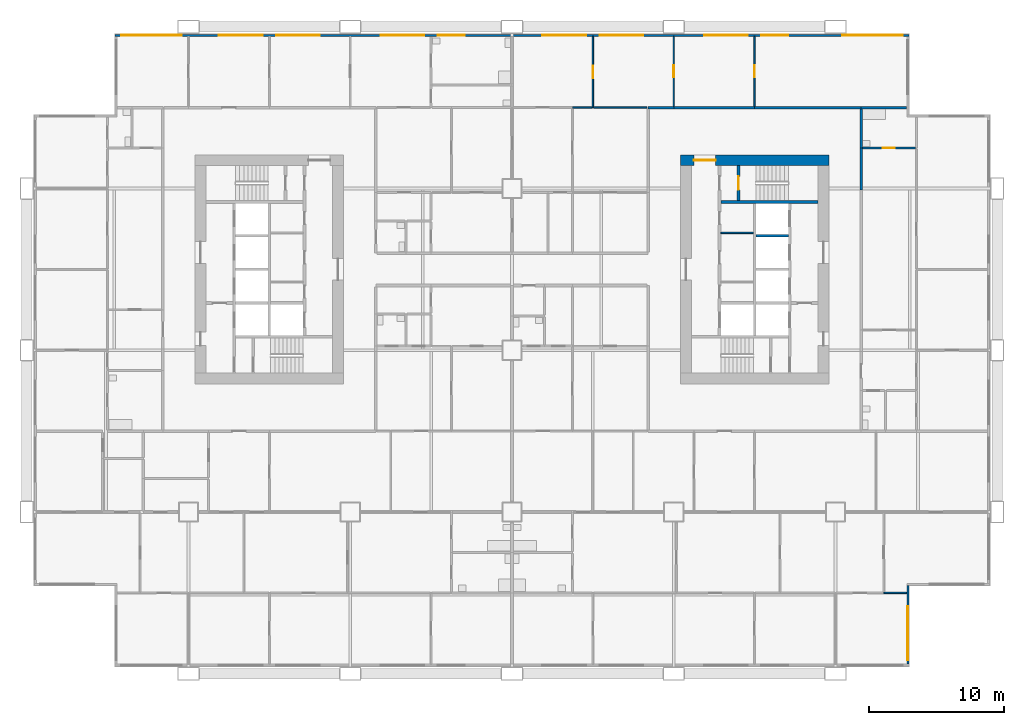
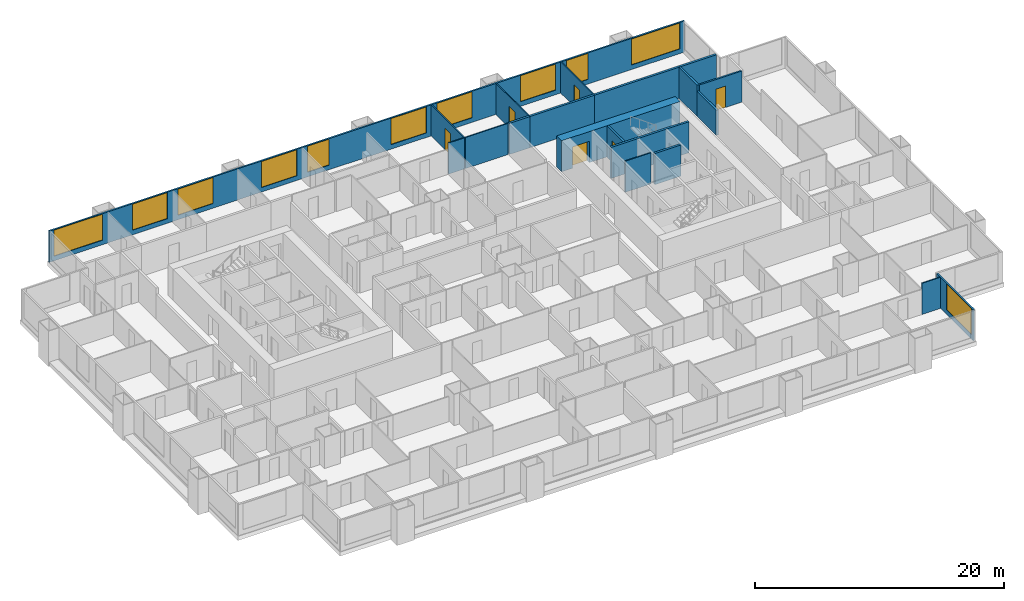
# One storey, part 10 of 14: 20 walls, 11 windows, 6 doors, 17 openings.
"""IFC4 building model written with IfcOpenShell, lengths in metres."""

from ifc_helpers import new_model, si_unit, direction, frame, frame_2d, origin, place, context, subcontext, project, spatial, rectangle, extrude, material, layer, layer_set, type_object, element, fill, save


model = new_model("IFC4")

# Units and contexts
model_context = context("Model", 3, precision=1e-05, world=origin(), true_north=direction((0.0, 1.0)))
body_context = subcontext(model_context, "Body", "Model", "MODEL_VIEW")
ifc_project = project(units=[si_unit("LENGTHUNIT", "METRE"), si_unit("AREAUNIT", "SQUARE_METRE"), si_unit("VOLUMEUNIT", "CUBIC_METRE"), si_unit("PLANEANGLEUNIT", "RADIAN"), si_unit("MASSUNIT", "GRAM", prefix="KILO")], contexts=[model_context])

# Site, building, storey
site_placement = place(None, origin())
site = spatial("IfcSite", under=ifc_project, at=site_placement, CompositionType="ELEMENT")
building_placement = place(site_placement, origin())
building = spatial("IfcBuilding", under=site, at=building_placement, Name="Kitamizu Gate Tower and Museum", CompositionType="ELEMENT")
storey_placement = place(building_placement, frame((0.0, 0.0, 67.949951171875)))
storey = spatial("IfcBuildingStorey", under=building, at=storey_placement, Name="L16", CompositionType="ELEMENT", Elevation=67.949951171875)

# Wall, opening, door
ifc_material_1 = material(Name="Concrete Fc60", Category="concrete")
ifc_layer_1 = layer(ifc_material_1, 0.800048828125)
ifc_layer_set_1 = layer_set([ifc_layer_1], Name="Concrete Fc60")
wall_type_1 = type_object("IfcWallType", Name="Core wall 800", PredefinedType="SHEAR", material=ifc_layer_set_1)
wall_1_placement = place(storey_placement, frame((59.5, 38.10009765625, 0.0), z_axis=(0.0, 0.0, 1.0), x_axis=(-1.0, 0.0, 0.0)))
wall_1 = element("IfcWall", 1, at=wall_1_placement, inside=storey, type_object=wall_type_1, Name="Core wall EN", PredefinedType="SHEAR", context=body_context, shape_type="SweptSolid", body=[
    extrude(rectangle(XDim=11.0, YDim=0.800048828125, at=frame_2d((5.5, 0.0))), origin(), (0.0, 0.0, 1.0), 3.050048828125),
])
opening_1_placement = place(wall_1_placement, frame((8.39990234375, 0.0, 0.0)))
opening_1 = element("IfcOpeningElement", 2, at=opening_1_placement, cuts=wall_1, Name="Opening L16-104", PredefinedType="OPENING", context=body_context, shape_type="SweptSolid", body=[
    extrude(rectangle(XDim=1.60009765625, YDim=2.10009765625, at=frame_2d((0.800048828125, 1.050048828125))), frame((0.0, 0.41015625, 0.0), z_axis=(0.0, -1.0, 0.0), x_axis=(1.0, 0.0, 0.0)), (0.0, 0.0, 1.0), 0.820068359375),
])
ifc_material_2 = material(Name="Timber door set", Category="wood")
door_type_1 = type_object("IfcDoorType", Name="Entrance door 1600", OperationType="DOUBLE_DOOR_SINGLE_SWING", PredefinedType="DOOR", material=ifc_material_2)
door_1_placement = place(opening_1_placement, origin())
door_1 = element("IfcDoor", 3, at=door_1_placement, inside=storey, type_object=door_type_1, Name="Lobby door L16-104", OperationType="DOUBLE_DOOR_SINGLE_SWING", OverallHeight=2.10009765625, OverallWidth=1.60009765625, PredefinedType="DOOR", context=body_context, shape_type="SweptSolid", body=[
    extrude(rectangle(XDim=1.60009765625, YDim=2.10009765625, at=frame_2d((0.800048828125, 1.050048828125))), frame((0.0, 0.02490234375, 0.0), z_axis=(0.0, -1.0, 0.0), x_axis=(1.0, 0.0, 0.0)), (0.0, 0.0, 1.0), 0.050048828125),
])
fill(opening_1, door_1)

# Walls
ifc_material_3 = material(Name="Gypsum board on galvanised stud")
ifc_layer_2 = layer(ifc_material_3, 0.10009765625)
ifc_layer_set_2 = layer_set([ifc_layer_2], Name="Gypsum board on galvanised stud")
wall_type_2 = type_object("IfcWallType", Name="Partition 100", PredefinedType="PARTITIONING", material=ifc_layer_set_2)
wall_2_placement = place(storey_placement, frame((53.89990234375, 32.7099609375, 0.0), z_axis=(0.0, 0.0, 1.0), x_axis=(-1.0, 0.0, 0.0)))
element("IfcWall", 4, at=wall_2_placement, inside=storey, type_object=wall_type_2, Name="Partition EPF2", PredefinedType="PARTITIONING", context=body_context, shape_type="SweptSolid", body=[
    extrude(rectangle(XDim=2.39990234375, YDim=0.10009765625, at=frame_2d((1.199951171875, 0.0))), origin(), (0.0, 0.0, 1.0), 3.050048828125),
])
ifc_material_4 = material(Name="Gypsum board on galvanised stud")
ifc_layer_3 = layer(ifc_material_4, 0.10009765625)
ifc_layer_set_3 = layer_set([ifc_layer_3], Name="Gypsum board on galvanised stud")
wall_type_3 = type_object("IfcWallType", Name="Partition 100 NOT RATED", PredefinedType="PARTITIONING", material=ifc_layer_set_3)
wall_3_placement = place(storey_placement, frame((65.280029296875, 6.0, 0.0), z_axis=(0.0, 0.0, 1.0), x_axis=(-1.0, 0.0, 0.0)))
element("IfcWall", 5, at=wall_3_placement, inside=storey, type_object=wall_type_3, Name="Partition L16-081", PredefinedType="PARTITIONING", context=body_context, shape_type="SweptSolid", body=[
    extrude(rectangle(XDim=1.695068359375, YDim=0.10009765625, at=frame_2d((0.84765625, 0.0))), origin(), (0.0, 0.0, 1.0), 3.050048828125),
])

# Wall, opening, door
wall_4_placement = place(storey_placement, frame((42.0, 42.0, 0.0), z_axis=(0.0, 0.0, 1.0), x_axis=(0.0, 1.0, 0.0)))
wall_4 = element("IfcWall", 6, at=wall_4_placement, inside=storey, type_object=wall_type_3, Name="Partition L16-166", PredefinedType="PARTITIONING", context=body_context, shape_type="SweptSolid", body=[
    extrude(rectangle(XDim=5.280029296875, YDim=0.10009765625, at=frame_2d((2.64013671875, 0.0))), origin(), (0.0, 0.0, 1.0), 3.050048828125),
])
opening_2_placement = place(wall_4_placement, frame((2.18994140625, 0.0, 0.0)))
opening_2 = element("IfcOpeningElement", 7, at=opening_2_placement, cuts=wall_4, Name="Opening L16-072", PredefinedType="OPENING", context=body_context, shape_type="SweptSolid", body=[
    extrude(rectangle(XDim=0.89990234375, YDim=2.10009765625, at=frame_2d((0.449951171875, 1.050048828125))), frame((0.0, 0.06005859375, 0.0), z_axis=(0.0, -1.0, 0.0), x_axis=(1.0, 0.0, 0.0)), (0.0, 0.0, 1.0), 0.1201171875),
])
ifc_material_5 = material(Name="Timber door set", Category="wood")
door_type_2 = type_object("IfcDoorType", Name="Room door 900", OperationType="NOTDEFINED", PredefinedType="DOOR", material=ifc_material_5)
door_2_placement = place(opening_2_placement, origin())
door_2 = element("IfcDoor", 8, at=door_2_placement, inside=storey, type_object=door_type_2, Name="Door L16-072", OperationType="SINGLE_SWING_LEFT", OverallHeight=2.10009765625, OverallWidth=0.89990234375, PredefinedType="DOOR", context=body_context, shape_type="SweptSolid", body=[
    extrude(rectangle(XDim=0.89990234375, YDim=2.10009765625, at=frame_2d((0.449951171875, 1.050048828125))), frame((0.0, 0.02490234375, 0.0), z_axis=(0.0, -1.0, 0.0), x_axis=(1.0, 0.0, 0.0)), (0.0, 0.0, 1.0), 0.050048828125),
])
fill(opening_2, door_2)

# Wall
wall_5_placement = place(storey_placement, frame((40.5, 42.0, 0.0), z_axis=(0.0, 0.0, 1.0), x_axis=(1.0, 0.0, 0.0)))
element("IfcWall", 9, at=wall_5_placement, inside=storey, type_object=wall_type_3, Name="Partition L16-168", PredefinedType="PARTITIONING", context=body_context, shape_type="SweptSolid", body=[
    extrude(rectangle(XDim=1.449951171875, YDim=0.10009765625, at=frame_2d((0.72509765625, 0.0))), origin(), (0.0, 0.0, 1.0), 3.050048828125),
])

# Wall, opening, door
wall_6_placement = place(storey_placement, frame((48.0, 42.10009765625, 0.0), z_axis=(0.0, 0.0, 1.0), x_axis=(0.0, 1.0, 0.0)))
wall_6 = element("IfcWall", 10, at=wall_6_placement, inside=storey, type_object=wall_type_3, Name="Partition L16-169", PredefinedType="PARTITIONING", context=body_context, shape_type="SweptSolid", body=[
    extrude(rectangle(XDim=5.179931640625, YDim=0.10009765625, at=frame_2d((2.58984375, 0.0))), origin(), (0.0, 0.0, 1.0), 3.050048828125),
])
opening_3_placement = place(wall_6_placement, frame((2.139892578125, 0.0, 0.0)))
opening_3 = element("IfcOpeningElement", 11, at=opening_3_placement, cuts=wall_6, Name="Opening L16-073", PredefinedType="OPENING", context=body_context, shape_type="SweptSolid", body=[
    extrude(rectangle(XDim=0.89990234375, YDim=2.10009765625, at=frame_2d((0.449951171875, 1.050048828125))), frame((0.0, 0.06005859375, 0.0), z_axis=(0.0, -1.0, 0.0), x_axis=(1.0, 0.0, 0.0)), (0.0, 0.0, 1.0), 0.1201171875),
])
door_3_placement = place(opening_3_placement, origin())
door_3 = element("IfcDoor", 12, at=door_3_placement, inside=storey, type_object=door_type_2, Name="Door L16-073", OperationType="SINGLE_SWING_RIGHT", OverallHeight=2.10009765625, OverallWidth=0.89990234375, PredefinedType="DOOR", context=body_context, shape_type="SweptSolid", body=[
    extrude(rectangle(XDim=0.89990234375, YDim=2.10009765625, at=frame_2d((0.449951171875, 1.050048828125))), frame((0.0, 0.02490234375, 0.0), z_axis=(0.0, -1.0, 0.0), x_axis=(1.0, 0.0, 0.0)), (0.0, 0.0, 1.0), 0.050048828125),
])
fill(opening_3, door_3)

# Wall
wall_7_placement = place(storey_placement, frame((42.050048828125, 42.0, 0.0), z_axis=(0.0, 0.0, 1.0), x_axis=(1.0, 0.0, 0.0)))
element("IfcWall", 13, at=wall_7_placement, inside=storey, type_object=wall_type_3, Name="Partition L16-170", PredefinedType="PARTITIONING", context=body_context, shape_type="SweptSolid", body=[
    extrude(rectangle(XDim=3.949951171875, YDim=0.10009765625, at=frame_2d((1.97509765625, 0.0))), origin(), (0.0, 0.0, 1.0), 3.050048828125),
])

# Wall, opening, door
wall_8_placement = place(storey_placement, frame((54.0, 42.10009765625, 0.0), z_axis=(0.0, 0.0, 1.0), x_axis=(0.0, 1.0, 0.0)))
wall_8 = element("IfcWall", 14, at=wall_8_placement, inside=storey, type_object=wall_type_3, Name="Partition L16-172", PredefinedType="PARTITIONING", context=body_context, shape_type="SweptSolid", body=[
    extrude(rectangle(XDim=5.179931640625, YDim=0.10009765625, at=frame_2d((2.58984375, 0.0))), origin(), (0.0, 0.0, 1.0), 3.050048828125),
])
opening_4_placement = place(wall_8_placement, frame((2.139892578125, 0.0, 0.0)))
opening_4 = element("IfcOpeningElement", 15, at=opening_4_placement, cuts=wall_8, Name="Opening L16-074", PredefinedType="OPENING", context=body_context, shape_type="SweptSolid", body=[
    extrude(rectangle(XDim=0.89990234375, YDim=2.10009765625, at=frame_2d((0.449951171875, 1.050048828125))), frame((0.0, 0.06005859375, 0.0), z_axis=(0.0, -1.0, 0.0), x_axis=(1.0, 0.0, 0.0)), (0.0, 0.0, 1.0), 0.1201171875),
])
door_4_placement = place(opening_4_placement, origin())
door_4 = element("IfcDoor", 16, at=door_4_placement, inside=storey, type_object=door_type_2, Name="Door L16-074", OperationType="SINGLE_SWING_LEFT", OverallHeight=2.10009765625, OverallWidth=0.89990234375, PredefinedType="DOOR", context=body_context, shape_type="SweptSolid", body=[
    extrude(rectangle(XDim=0.89990234375, YDim=2.10009765625, at=frame_2d((0.449951171875, 1.050048828125))), frame((0.0, 0.02490234375, 0.0), z_axis=(0.0, -1.0, 0.0), x_axis=(1.0, 0.0, 0.0)), (0.0, 0.0, 1.0), 0.050048828125),
])
fill(opening_4, door_4)

ifc_material_6 = material(Name="Gypsum board on galvanised stud")
ifc_layer_4 = layer(ifc_material_6, 0.14990234375)
ifc_layer_set_4 = layer_set([ifc_layer_4], Name="Gypsum board on galvanised stud")
wall_type_4 = type_object("IfcWallType", Name="Partition 150", PredefinedType="PARTITIONING", material=ifc_layer_set_4)
wall_9_placement = place(storey_placement, frame((65.925048828125, 39.0, 0.0), z_axis=(0.0, 0.0, 1.0), x_axis=(-1.0, 0.0, 0.0)))
wall_9 = element("IfcWall", 17, at=wall_9_placement, inside=storey, type_object=wall_type_4, Name="Partition L16-223", PredefinedType="PARTITIONING", context=body_context, shape_type="SweptSolid", body=[
    extrude(rectangle(XDim=3.925048828125, YDim=0.14990234375, at=frame_2d((1.96240234375, 0.0))), origin(), (0.0, 0.0, 1.0), 3.050048828125),
])
opening_5_placement = place(wall_9_placement, frame((1.512451171875, 0.0, 0.0)))
opening_5 = element("IfcOpeningElement", 18, at=opening_5_placement, cuts=wall_9, Name="Opening L16-084", PredefinedType="OPENING", context=body_context, shape_type="SweptSolid", body=[
    extrude(rectangle(XDim=0.89990234375, YDim=2.10009765625, at=frame_2d((0.449951171875, 1.050048828125))), frame((0.0, 0.0849609375, 0.0), z_axis=(0.0, -1.0, 0.0), x_axis=(1.0, 0.0, 0.0)), (0.0, 0.0, 1.0), 0.169921875),
])
ifc_material_7 = material(Name="Timber door set", Category="wood")
door_type_3 = type_object("IfcDoorType", Name="Bathroom door 900", OperationType="NOTDEFINED", PredefinedType="DOOR", material=ifc_material_7)
door_5_placement = place(opening_5_placement, frame((0.89990234375, 0.0, 0.0), x_axis=(-1.0, 0.0, 0.0)))
door_5 = element("IfcDoor", 19, at=door_5_placement, inside=storey, type_object=door_type_3, Name="Bathroom door L16-084", OperationType="SINGLE_SWING_RIGHT", OverallHeight=2.10009765625, OverallWidth=0.89990234375, PredefinedType="DOOR", context=body_context, shape_type="SweptSolid", body=[
    extrude(rectangle(XDim=0.89990234375, YDim=2.10009765625, at=frame_2d((0.449951171875, 1.050048828125))), frame((0.0, 0.02490234375, 0.0), z_axis=(0.0, -1.0, 0.0), x_axis=(1.0, 0.0, 0.0)), (0.0, 0.0, 1.0), 0.050048828125),
])
fill(opening_5, door_5)

# Walls
ifc_material_8 = material(Name="Gypsum board on galvanised stud")
ifc_layer_5 = layer(ifc_material_8, 0.199951171875)
ifc_layer_set_5 = layer_set([ifc_layer_5], Name="Gypsum board on galvanised stud")
wall_type_5 = type_object("IfcWallType", Name="Partition 200", PredefinedType="PARTITIONING", material=ifc_layer_set_5)
wall_10_placement = place(storey_placement, frame((46.10009765625, 42.0, 0.0), z_axis=(0.0, 0.0, 1.0), x_axis=(1.0, 0.0, 0.0)))
element("IfcWall", 20, at=wall_10_placement, inside=storey, type_object=wall_type_5, Name="Partition L16-171", PredefinedType="PARTITIONING", context=body_context, shape_type="SweptSolid", body=[
    extrude(rectangle(XDim=1.89990234375, YDim=0.199951171875, at=frame_2d((0.949951171875, 0.0))), origin(), (0.0, 0.0, 1.0), 3.050048828125),
])
wall_11_placement = place(storey_placement, frame((48.0, 42.0, 0.0), z_axis=(0.0, 0.0, 1.0), x_axis=(1.0, 0.0, 0.0)))
element("IfcWall", 21, at=wall_11_placement, inside=storey, type_object=wall_type_5, Name="Partition L16-173", PredefinedType="PARTITIONING", context=body_context, shape_type="SweptSolid", body=[
    extrude(rectangle(XDim=6.0, YDim=0.199951171875, at=frame_2d((3.0, 0.0))), origin(), (0.0, 0.0, 1.0), 3.050048828125),
])
wall_12_placement = place(storey_placement, frame((61.89990234375, 42.0, 0.0), z_axis=(0.0, 0.0, 1.0), x_axis=(1.0, 0.0, 0.0)))
element("IfcWall", 22, at=wall_12_placement, inside=storey, type_object=wall_type_5, Name="Partition L16-174", PredefinedType="PARTITIONING", context=body_context, shape_type="SweptSolid", body=[
    extrude(rectangle(XDim=3.380126953125, YDim=0.199951171875, at=frame_2d((1.68994140625, 0.0))), origin(), (0.0, 0.0, 1.0), 3.050048828125),
])
wall_13_placement = place(storey_placement, frame((54.0, 42.0, 0.0), z_axis=(0.0, 0.0, 1.0), x_axis=(1.0, 0.0, 0.0)))
element("IfcWall", 23, at=wall_13_placement, inside=storey, type_object=wall_type_5, Name="Partition L16-175", PredefinedType="PARTITIONING", context=body_context, shape_type="SweptSolid", body=[
    extrude(rectangle(XDim=7.89990234375, YDim=0.199951171875, at=frame_2d((3.949951171875, 0.0))), origin(), (0.0, 0.0, 1.0), 3.050048828125),
])
wall_14_placement = place(storey_placement, frame((61.89990234375, 39.0, 0.0), z_axis=(0.0, 0.0, 1.0), x_axis=(0.0, -1.0, 0.0)))
element("IfcWall", 24, at=wall_14_placement, inside=storey, type_object=wall_type_5, Name="Partition L16-224", PredefinedType="PARTITIONING", context=body_context, shape_type="SweptSolid", body=[
    extrude(rectangle(XDim=3.10009765625, YDim=0.199951171875, at=frame_2d((1.550048828125, 0.0))), origin(), (0.0, 0.0, 1.0), 2.449951171875),
])
wall_15_placement = place(storey_placement, frame((61.89990234375, 41.89990234375, 0.0), z_axis=(0.0, 0.0, 1.0), x_axis=(0.0, -1.0, 0.0)))
element("IfcWall", 25, at=wall_15_placement, inside=storey, type_object=wall_type_5, Name="Partition L16-226", PredefinedType="PARTITIONING", context=body_context, shape_type="SweptSolid", body=[
    extrude(rectangle(XDim=2.89990234375, YDim=0.199951171875, at=frame_2d((1.449951171875, 0.0))), origin(), (0.0, 0.0, 1.0), 3.050048828125),
])
ifc_material_9 = material(Name="Concrete Fc42", Category="concrete")
ifc_layer_6 = layer(ifc_material_9, 0.199951171875)
ifc_layer_set_6 = layer_set([ifc_layer_6], Name="Concrete Fc42")
wall_type_6 = type_object("IfcWallType", Name="Shaft wall 200", PredefinedType="SOLIDWALL", material=ifc_layer_set_6)
wall_16_placement = place(storey_placement, frame((58.699951171875, 35.0, 0.0), z_axis=(0.0, 0.0, 1.0), x_axis=(-1.0, 0.0, 0.0)))
element("IfcWall", 26, at=wall_16_placement, inside=storey, type_object=wall_type_6, Name="Shaft wall ENB", PredefinedType="SOLIDWALL", context=body_context, shape_type="SweptSolid", body=[
    extrude(rectangle(XDim=7.199951171875, YDim=0.199951171875, at=frame_2d((3.60009765625, 0.0))), origin(), (0.0, 0.0, 1.0), 3.050048828125),
])

# Wall, opening, door
wall_17_placement = place(storey_placement, frame((52.800048828125, 35.10009765625, 0.0), z_axis=(0.0, 0.0, 1.0), x_axis=(0.0, 1.0, 0.0)))
wall_17 = element("IfcWall", 27, at=wall_17_placement, inside=storey, type_object=wall_type_6, Name="Shaft wall ENZ", PredefinedType="SOLIDWALL", context=body_context, shape_type="SweptSolid", body=[
    extrude(rectangle(XDim=2.599853515625, YDim=0.199951171875, at=frame_2d((1.2998046875, 0.0))), origin(), (0.0, 0.0, 1.0), 3.050048828125),
])
opening_6_placement = place(wall_17_placement, frame((0.800048828125, 0.0, 0.0)))
opening_6 = element("IfcOpeningElement", 28, at=opening_6_placement, cuts=wall_17, Name="Opening L16-100", PredefinedType="OPENING", context=body_context, shape_type="SweptSolid", body=[
    extrude(rectangle(XDim=1.0, YDim=2.10009765625, at=frame_2d((0.5, 1.050048828125))), frame((0.0, 0.10986328125, 0.0), z_axis=(0.0, -1.0, 0.0), x_axis=(1.0, 0.0, 0.0)), (0.0, 0.0, 1.0), 0.219970703125),
])
ifc_material_10 = material(Name="Hollow metal door set")
door_type_4 = type_object("IfcDoorType", Name="Fire door 1000", OperationType="NOTDEFINED", PredefinedType="DOOR", material=ifc_material_10)
door_6_placement = place(opening_6_placement, frame((1.0, 0.0, 0.0), x_axis=(-1.0, 0.0, 0.0)))
door_6 = element("IfcDoor", 29, at=door_6_placement, inside=storey, type_object=door_type_4, Name="Stair door L16-100", OperationType="SINGLE_SWING_LEFT", OverallHeight=2.10009765625, OverallWidth=1.0, PredefinedType="DOOR", context=body_context, shape_type="SweptSolid", body=[
    extrude(rectangle(XDim=1.0, YDim=2.10009765625, at=frame_2d((0.5, 1.050048828125))), frame((0.0, 0.02490234375, 0.0), z_axis=(0.0, -1.0, 0.0), x_axis=(1.0, 0.0, 0.0)), (0.0, 0.0, 1.0), 0.050048828125),
])
fill(opening_6, door_6)

# Wall
wall_18_placement = place(storey_placement, frame((56.5, 32.5, 0.0), z_axis=(0.0, 0.0, 1.0), x_axis=(-1.0, 0.0, 0.0)))
element("IfcWall", 30, at=wall_18_placement, inside=storey, type_object=wall_type_6, Name="Shaft wall EDVW2", PredefinedType="SOLIDWALL", context=body_context, shape_type="SweptSolid", body=[
    extrude(rectangle(XDim=2.39990234375, YDim=0.199951171875, at=frame_2d((1.199951171875, 0.0))), origin(), (0.0, 0.0, 1.0), 3.050048828125),
])

# Wall, opening, window
ifc_material_11 = material(Name="Bronze anodised aluminium frame with insulated spandrel and tinted glass", Category="aluminium")
ifc_layer_7 = layer(ifc_material_11, 0.14990234375)
ifc_layer_set_7 = layer_set([ifc_layer_7], Name="Bronze anodised aluminium frame with insulated spandrel and tinted glass")
wall_type_7 = type_object("IfcWallType", Name="WINDOW WALL 150 BRONZE FRAME EI 30", PredefinedType="ELEMENTEDWALL", material=ifc_layer_set_7)
wall_19_placement = place(storey_placement, frame((65.364990234375, 0.7099609375, 0.0), z_axis=(0.0, 0.0, 1.0), x_axis=(0.0, 1.0, 0.0)))
wall_19 = element("IfcWall", 31, at=wall_19_placement, inside=storey, type_object=wall_type_7, Name="Window wall east L16", PredefinedType="ELEMENTEDWALL", context=body_context, shape_type="SweptSolid", body=[
    extrude(rectangle(XDim=5.85009765625, YDim=0.14990234375, at=frame_2d((2.925048828125, 0.0))), origin(), (0.0, 0.0, 1.0), 3.050048828125),
])
opening_7_placement = place(wall_19_placement, frame((0.2900390625, 0.0, 0.449951171875)))
opening_7 = element("IfcOpeningElement", 32, at=opening_7_placement, cuts=wall_19, Name="Opening W16", PredefinedType="OPENING", context=body_context, shape_type="SweptSolid", body=[
    extrude(rectangle(XDim=4.0, YDim=2.550048828125, at=frame_2d((2.0, 1.27490234375))), frame((0.0, 0.0849609375, 0.0), z_axis=(0.0, -1.0, 0.0), x_axis=(1.0, 0.0, 0.0)), (0.0, 0.0, 1.0), 0.169921875),
])
ifc_material_12 = material(Name="Bronze anodised aluminium frame, tinted triple glazing", Category="aluminium")
window_type_1 = type_object("IfcWindowType", Name="WINDOW 4000 x 2550 SILL 450", PartitioningType="SINGLE_PANEL", PredefinedType="WINDOW", material=ifc_material_12)
window_1_placement = place(opening_7_placement, origin())
window_1 = element("IfcWindow", 33, at=window_1_placement, inside=storey, type_object=window_type_1, Name="Window W16 L16", OverallHeight=2.550048828125, OverallWidth=4.0, PartitioningType="SINGLE_PANEL", PredefinedType="WINDOW", context=body_context, shape_type="SweptSolid", body=[
    extrude(rectangle(XDim=4.0, YDim=2.550048828125, at=frame_2d((2.0, 1.27490234375))), frame((0.0, 0.030029296875, 0.0), z_axis=(0.0, -1.0, 0.0), x_axis=(1.0, 0.0, 0.0)), (0.0, 0.0, 1.0), 0.06005859375),
])
fill(opening_7, window_1)

# Wall, openings, windows
wall_20_placement = place(storey_placement, frame((6.56005859375, 47.364990234375, 0.0), z_axis=(0.0, 0.0, 1.0), x_axis=(1.0, 0.0, 0.0)))
wall_20 = element("IfcWall", 34, at=wall_20_placement, inside=storey, type_object=wall_type_7, Name="Window wall north L16", PredefinedType="ELEMENTEDWALL", context=body_context, shape_type="SweptSolid", body=[
    extrude(rectangle(XDim=58.8798828125, YDim=0.14990234375, at=frame_2d((29.43994140625, 0.0))), origin(), (0.0, 0.0, 1.0), 3.050048828125),
])
opening_8_placement = place(wall_20_placement, frame((0.43994140625, 0.0, 0.449951171875)))
opening_8 = element("IfcOpeningElement", 35, at=opening_8_placement, cuts=wall_20, Name="Opening W15", PredefinedType="OPENING", context=body_context, shape_type="SweptSolid", body=[
    extrude(rectangle(XDim=4.5, YDim=2.550048828125, at=frame_2d((2.25, 1.27490234375))), frame((0.0, 0.0849609375, 0.0), z_axis=(0.0, -1.0, 0.0), x_axis=(1.0, 0.0, 0.0)), (0.0, 0.0, 1.0), 0.169921875),
])
opening_9_placement = place(wall_20_placement, frame((7.68994140625, 0.0, 0.449951171875)))
opening_9 = element("IfcOpeningElement", 36, at=opening_9_placement, cuts=wall_20, Name="Opening W34", PredefinedType="OPENING", context=body_context, shape_type="SweptSolid", body=[
    extrude(rectangle(XDim=3.25, YDim=2.550048828125, at=frame_2d((1.625, 1.27490234375))), frame((0.0, 0.0849609375, 0.0), z_axis=(0.0, -1.0, 0.0), x_axis=(1.0, 0.0, 0.0)), (0.0, 0.0, 1.0), 0.169921875),
])
opening_10_placement = place(wall_20_placement, frame((11.93994140625, 0.0, 0.449951171875)))
opening_10 = element("IfcOpeningElement", 37, at=opening_10_placement, cuts=wall_20, Name="Opening W34", PredefinedType="OPENING", context=body_context, shape_type="SweptSolid", body=[
    extrude(rectangle(XDim=3.25, YDim=2.550048828125, at=frame_2d((1.625, 1.27490234375))), frame((0.0, 0.0849609375, 0.0), z_axis=(0.0, -1.0, 0.0), x_axis=(1.0, 0.0, 0.0)), (0.0, 0.0, 1.0), 0.169921875),
])
opening_11_placement = place(wall_20_placement, frame((19.68994140625, 0.0, 0.449951171875)))
opening_11 = element("IfcOpeningElement", 38, at=opening_11_placement, cuts=wall_20, Name="Opening W34", PredefinedType="OPENING", context=body_context, shape_type="SweptSolid", body=[
    extrude(rectangle(XDim=3.25, YDim=2.550048828125, at=frame_2d((1.625, 1.27490234375))), frame((0.0, 0.0849609375, 0.0), z_axis=(0.0, -1.0, 0.0), x_axis=(1.0, 0.0, 0.0)), (0.0, 0.0, 1.0), 0.169921875),
])
opening_12_placement = place(wall_20_placement, frame((23.93994140625, 0.0, 0.449951171875)))
opening_12 = element("IfcOpeningElement", 39, at=opening_12_placement, cuts=wall_20, Name="Opening W2", PredefinedType="OPENING", context=body_context, shape_type="SweptSolid", body=[
    extrude(rectangle(XDim=2.0, YDim=2.550048828125, at=frame_2d((1.0, 1.27490234375))), frame((0.0, 0.0849609375, 0.0), z_axis=(0.0, -1.0, 0.0), x_axis=(1.0, 0.0, 0.0)), (0.0, 0.0, 1.0), 0.169921875),
])
opening_13_placement = place(wall_20_placement, frame((31.68994140625, 0.0, 0.449951171875)))
opening_13 = element("IfcOpeningElement", 40, at=opening_13_placement, cuts=wall_20, Name="Opening W34", PredefinedType="OPENING", context=body_context, shape_type="SweptSolid", body=[
    extrude(rectangle(XDim=3.25, YDim=2.550048828125, at=frame_2d((1.625, 1.27490234375))), frame((0.0, 0.0849609375, 0.0), z_axis=(0.0, -1.0, 0.0), x_axis=(1.0, 0.0, 0.0)), (0.0, 0.0, 1.0), 0.169921875),
])
opening_14_placement = place(wall_20_placement, frame((35.93994140625, 0.0, 0.449951171875)))
opening_14 = element("IfcOpeningElement", 41, at=opening_14_placement, cuts=wall_20, Name="Opening W34", PredefinedType="OPENING", context=body_context, shape_type="SweptSolid", body=[
    extrude(rectangle(XDim=3.25, YDim=2.550048828125, at=frame_2d((1.625, 1.27490234375))), frame((0.0, 0.0849609375, 0.0), z_axis=(0.0, -1.0, 0.0), x_axis=(1.0, 0.0, 0.0)), (0.0, 0.0, 1.0), 0.169921875),
])
opening_15_placement = place(wall_20_placement, frame((43.68994140625, 0.0, 0.449951171875)))
opening_15 = element("IfcOpeningElement", 42, at=opening_15_placement, cuts=wall_20, Name="Opening W34", PredefinedType="OPENING", context=body_context, shape_type="SweptSolid", body=[
    extrude(rectangle(XDim=3.25, YDim=2.550048828125, at=frame_2d((1.625, 1.27490234375))), frame((0.0, 0.0849609375, 0.0), z_axis=(0.0, -1.0, 0.0), x_axis=(1.0, 0.0, 0.0)), (0.0, 0.0, 1.0), 0.169921875),
])
opening_16_placement = place(wall_20_placement, frame((47.93994140625, 0.0, 0.449951171875)))
opening_16 = element("IfcOpeningElement", 43, at=opening_16_placement, cuts=wall_20, Name="Opening W2", PredefinedType="OPENING", context=body_context, shape_type="SweptSolid", body=[
    extrude(rectangle(XDim=2.0, YDim=2.550048828125, at=frame_2d((1.0, 1.27490234375))), frame((0.0, 0.0849609375, 0.0), z_axis=(0.0, -1.0, 0.0), x_axis=(1.0, 0.0, 0.0)), (0.0, 0.0, 1.0), 0.169921875),
])
opening_17_placement = place(wall_20_placement, frame((53.93994140625, 0.0, 0.449951171875)))
opening_17 = element("IfcOpeningElement", 44, at=opening_17_placement, cuts=wall_20, Name="Opening W15", PredefinedType="OPENING", context=body_context, shape_type="SweptSolid", body=[
    extrude(rectangle(XDim=4.5, YDim=2.550048828125, at=frame_2d((2.25, 1.27490234375))), frame((0.0, 0.0849609375, 0.0), z_axis=(0.0, -1.0, 0.0), x_axis=(1.0, 0.0, 0.0)), (0.0, 0.0, 1.0), 0.169921875),
])
ifc_material_13 = material(Name="Bronze anodised aluminium frame, tinted triple glazing", Category="aluminium")
window_type_2 = type_object("IfcWindowType", Name="WINDOW 2000 x 2550 SILL 450", PartitioningType="SINGLE_PANEL", PredefinedType="WINDOW", material=ifc_material_13)
window_2_placement = place(opening_12_placement, origin())
window_2 = element("IfcWindow", 45, at=window_2_placement, inside=storey, type_object=window_type_2, Name="Window W2 L16", OverallHeight=2.550048828125, OverallWidth=2.0, PartitioningType="SINGLE_PANEL", PredefinedType="WINDOW", context=body_context, shape_type="SweptSolid", body=[
    extrude(rectangle(XDim=2.0, YDim=2.550048828125, at=frame_2d((1.0, 1.27490234375))), frame((0.0, 0.030029296875, 0.0), z_axis=(0.0, -1.0, 0.0), x_axis=(1.0, 0.0, 0.0)), (0.0, 0.0, 1.0), 0.06005859375),
])
fill(opening_12, window_2)
window_3_placement = place(opening_16_placement, origin())
window_3 = element("IfcWindow", 46, at=window_3_placement, inside=storey, type_object=window_type_2, Name="Window W2 L16", OverallHeight=2.550048828125, OverallWidth=2.0, PartitioningType="SINGLE_PANEL", PredefinedType="WINDOW", context=body_context, shape_type="SweptSolid", body=[
    extrude(rectangle(XDim=2.0, YDim=2.550048828125, at=frame_2d((1.0, 1.27490234375))), frame((0.0, 0.030029296875, 0.0), z_axis=(0.0, -1.0, 0.0), x_axis=(1.0, 0.0, 0.0)), (0.0, 0.0, 1.0), 0.06005859375),
])
fill(opening_16, window_3)
ifc_material_14 = material(Name="Bronze anodised aluminium frame, tinted triple glazing", Category="aluminium")
window_type_3 = type_object("IfcWindowType", Name="WINDOW 3250 x 2550 SILL 450", PartitioningType="SINGLE_PANEL", PredefinedType="WINDOW", material=ifc_material_14)
window_4_placement = place(opening_9_placement, origin())
window_4 = element("IfcWindow", 47, at=window_4_placement, inside=storey, type_object=window_type_3, Name="Window W34 L16", OverallHeight=2.550048828125, OverallWidth=3.25, PartitioningType="SINGLE_PANEL", PredefinedType="WINDOW", context=body_context, shape_type="SweptSolid", body=[
    extrude(rectangle(XDim=3.25, YDim=2.550048828125, at=frame_2d((1.625, 1.27490234375))), frame((0.0, 0.030029296875, 0.0), z_axis=(0.0, -1.0, 0.0), x_axis=(1.0, 0.0, 0.0)), (0.0, 0.0, 1.0), 0.06005859375),
])
fill(opening_9, window_4)
window_5_placement = place(opening_10_placement, origin())
window_5 = element("IfcWindow", 48, at=window_5_placement, inside=storey, type_object=window_type_3, Name="Window W34 L16", OverallHeight=2.550048828125, OverallWidth=3.25, PartitioningType="SINGLE_PANEL", PredefinedType="WINDOW", context=body_context, shape_type="SweptSolid", body=[
    extrude(rectangle(XDim=3.25, YDim=2.550048828125, at=frame_2d((1.625, 1.27490234375))), frame((0.0, 0.030029296875, 0.0), z_axis=(0.0, -1.0, 0.0), x_axis=(1.0, 0.0, 0.0)), (0.0, 0.0, 1.0), 0.06005859375),
])
fill(opening_10, window_5)
window_6_placement = place(opening_11_placement, origin())
window_6 = element("IfcWindow", 49, at=window_6_placement, inside=storey, type_object=window_type_3, Name="Window W34 L16", OverallHeight=2.550048828125, OverallWidth=3.25, PartitioningType="SINGLE_PANEL", PredefinedType="WINDOW", context=body_context, shape_type="SweptSolid", body=[
    extrude(rectangle(XDim=3.25, YDim=2.550048828125, at=frame_2d((1.625, 1.27490234375))), frame((0.0, 0.030029296875, 0.0), z_axis=(0.0, -1.0, 0.0), x_axis=(1.0, 0.0, 0.0)), (0.0, 0.0, 1.0), 0.06005859375),
])
fill(opening_11, window_6)
window_7_placement = place(opening_13_placement, origin())
window_7 = element("IfcWindow", 50, at=window_7_placement, inside=storey, type_object=window_type_3, Name="Window W34 L16", OverallHeight=2.550048828125, OverallWidth=3.25, PartitioningType="SINGLE_PANEL", PredefinedType="WINDOW", context=body_context, shape_type="SweptSolid", body=[
    extrude(rectangle(XDim=3.25, YDim=2.550048828125, at=frame_2d((1.625, 1.27490234375))), frame((0.0, 0.030029296875, 0.0), z_axis=(0.0, -1.0, 0.0), x_axis=(1.0, 0.0, 0.0)), (0.0, 0.0, 1.0), 0.06005859375),
])
fill(opening_13, window_7)
window_8_placement = place(opening_14_placement, origin())
window_8 = element("IfcWindow", 51, at=window_8_placement, inside=storey, type_object=window_type_3, Name="Window W34 L16", OverallHeight=2.550048828125, OverallWidth=3.25, PartitioningType="SINGLE_PANEL", PredefinedType="WINDOW", context=body_context, shape_type="SweptSolid", body=[
    extrude(rectangle(XDim=3.25, YDim=2.550048828125, at=frame_2d((1.625, 1.27490234375))), frame((0.0, 0.030029296875, 0.0), z_axis=(0.0, -1.0, 0.0), x_axis=(1.0, 0.0, 0.0)), (0.0, 0.0, 1.0), 0.06005859375),
])
fill(opening_14, window_8)
window_9_placement = place(opening_15_placement, origin())
window_9 = element("IfcWindow", 52, at=window_9_placement, inside=storey, type_object=window_type_3, Name="Window W34 L16", OverallHeight=2.550048828125, OverallWidth=3.25, PartitioningType="SINGLE_PANEL", PredefinedType="WINDOW", context=body_context, shape_type="SweptSolid", body=[
    extrude(rectangle(XDim=3.25, YDim=2.550048828125, at=frame_2d((1.625, 1.27490234375))), frame((0.0, 0.030029296875, 0.0), z_axis=(0.0, -1.0, 0.0), x_axis=(1.0, 0.0, 0.0)), (0.0, 0.0, 1.0), 0.06005859375),
])
fill(opening_15, window_9)
ifc_material_15 = material(Name="Bronze anodised aluminium frame, tinted triple glazing", Category="aluminium")
window_type_4 = type_object("IfcWindowType", Name="WINDOW 4500 x 2550 SILL 450", PartitioningType="SINGLE_PANEL", PredefinedType="WINDOW", material=ifc_material_15)
window_10_placement = place(opening_8_placement, origin())
window_10 = element("IfcWindow", 53, at=window_10_placement, inside=storey, type_object=window_type_4, Name="Window W15 L16", OverallHeight=2.550048828125, OverallWidth=4.5, PartitioningType="SINGLE_PANEL", PredefinedType="WINDOW", context=body_context, shape_type="SweptSolid", body=[
    extrude(rectangle(XDim=4.5, YDim=2.550048828125, at=frame_2d((2.25, 1.27490234375))), frame((0.0, 0.030029296875, 0.0), z_axis=(0.0, -1.0, 0.0), x_axis=(1.0, 0.0, 0.0)), (0.0, 0.0, 1.0), 0.06005859375),
])
fill(opening_8, window_10)
window_11_placement = place(opening_17_placement, origin())
window_11 = element("IfcWindow", 54, at=window_11_placement, inside=storey, type_object=window_type_4, Name="Window W15 L16", OverallHeight=2.550048828125, OverallWidth=4.5, PartitioningType="SINGLE_PANEL", PredefinedType="WINDOW", context=body_context, shape_type="SweptSolid", body=[
    extrude(rectangle(XDim=4.5, YDim=2.550048828125, at=frame_2d((2.25, 1.27490234375))), frame((0.0, 0.030029296875, 0.0), z_axis=(0.0, -1.0, 0.0), x_axis=(1.0, 0.0, 0.0)), (0.0, 0.0, 1.0), 0.06005859375),
])
fill(opening_17, window_11)

save(model, "model.ifc")
